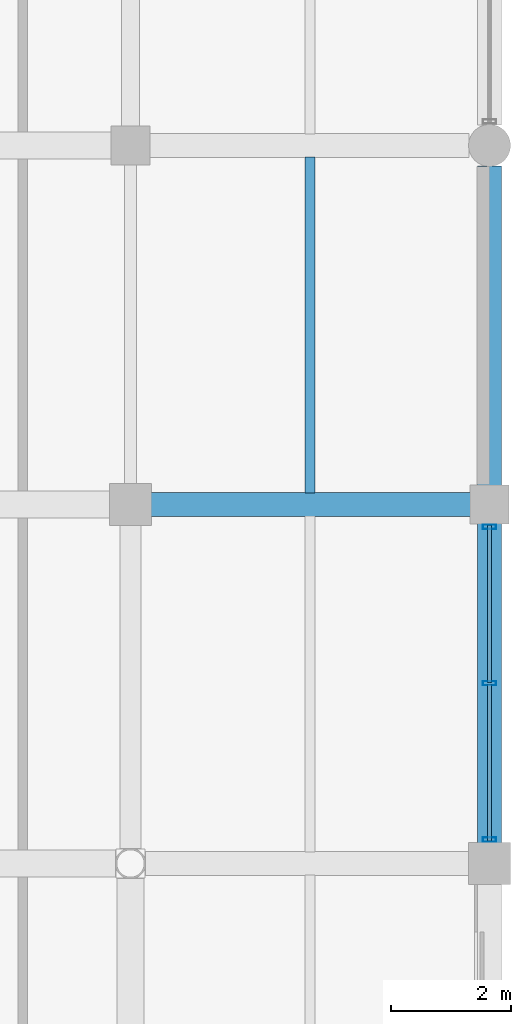
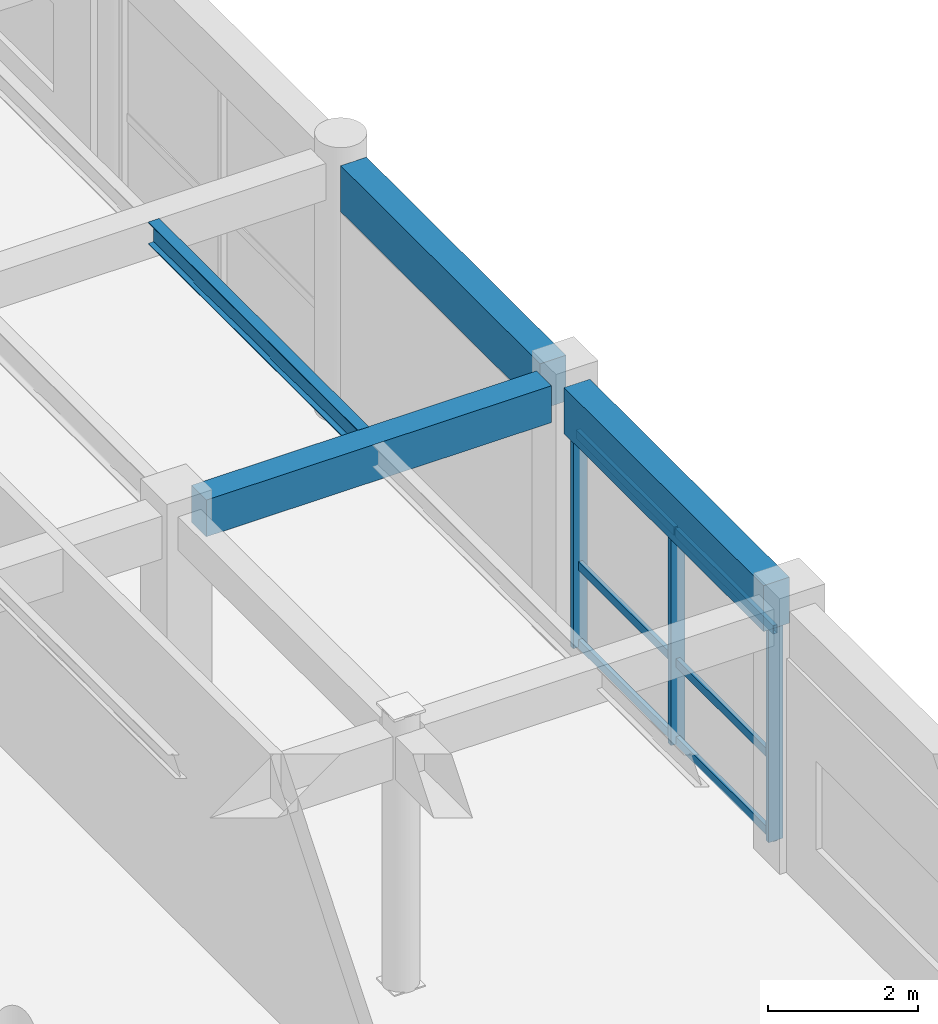
# One storey, part 66 of 116: 9 members, 4 beams, 1 element without a shape of its own.
"""IFC4 building model written with IfcOpenShell, lengths in metres."""

from ifc_helpers import new_model, si_unit, direction, frame, origin, origin_2d, place, context, subcontext, project, spatial, rectangle, hollow_rectangle, i_section, extrude, material, material_profile, profile_set, type_object, element, aggregate, save


model = new_model("IFC4")

# Units and contexts
model_context = context("Model", 3, precision=1e-05, world=origin(), true_north=direction((0.0, 1.0)))
body_context = subcontext(model_context, "Body", "Model", "MODEL_VIEW")
ifc_project = project(units=[si_unit("LENGTHUNIT", "METRE"), si_unit("AREAUNIT", "SQUARE_METRE"), si_unit("VOLUMEUNIT", "CUBIC_METRE"), si_unit("PLANEANGLEUNIT", "RADIAN"), si_unit("MASSUNIT", "GRAM", prefix="KILO"), si_unit("THERMODYNAMICTEMPERATUREUNIT", "KELVIN"), si_unit("POWERUNIT", "WATT")], contexts=[model_context])

# Site, building, storey
site_placement = place(None, origin())
site = spatial("IfcSite", under=ifc_project, at=site_placement, CompositionType="ELEMENT")
building_placement = place(site_placement, origin())
building = spatial("IfcBuilding", under=site, at=building_placement, Name="Phaisarnlok Congress Hotel", CompositionType="ELEMENT")
storey_placement = place(building_placement, frame((0.0, 0.0, 10.5)))
storey = spatial("IfcBuildingStorey", under=building, at=storey_placement, Name="L02", CompositionType="ELEMENT", Elevation=10.5)

# Beam
ifc_material_1 = material(Name="Concrete C40/50", Category="concrete")
ifc_material_profile_1 = material_profile(ifc_material_1, rectangle(XDim=0.39990234375, YDim=0.60009765625, at=origin_2d()), Name="RC 400x600")
ifc_profile_set_1 = profile_set([ifc_material_profile_1], Name="Concrete C40/50")
beam_type_1 = type_object("IfcBeamType", Name="BM-RC-400x600", PredefinedType="BEAM", material=ifc_profile_set_1)
beam_1_placement = place(storey_placement, frame((174.344970703125, 90.0, 3.93994140625), z_axis=(1.0, 0.0, 0.0), x_axis=(0.0, 1.0, 0.0)))
element("IfcBeam", 1, at=beam_1_placement, inside=storey, type_object=beam_type_1, Name="Beam B-02", PredefinedType="BEAM", context=body_context, shape_type="SweptSolid", body=[
    extrude(rectangle(XDim=0.39990234375, YDim=0.60009765625, at=origin_2d()), origin(), (0.0, 0.0, 1.0), 5.3349609375),
])

# Curtain wall, members
ifc_material_2 = material(Name="Thermally Broken Unitised Aluminium & Low-E Glazing", Category="aluminium")
curtain_wall_type = type_object("IfcCurtainWallType", Name="CW-UNIT-16", PredefinedType="NOTDEFINED", material=ifc_material_2)
curtain_wall_placement = place(storey_placement, origin())
curtain_wall = element("IfcCurtainWall", 2, at=curtain_wall_placement, inside=storey, type_object=curtain_wall_type, Name="Unitised curtain wall CW-16 (L02)", PredefinedType="NOTDEFINED")
ifc_material_3 = material(Name="Anodised Aluminium Alloy 6063-T6", Category="aluminium")
ifc_material_profile_2 = material_profile(ifc_material_3, hollow_rectangle(XDim=0.074951171875, YDim=0.219970703125, WallThickness=0.0048828125, at=origin_2d()), Name="ALU-M 75x220x5")
ifc_profile_set_2 = profile_set([ifc_material_profile_2], Name="Anodised Aluminium Alloy 6063-T6")
member_type_1 = type_object("IfcMemberType", Name="CWM-220", PredefinedType="MULLION", material=ifc_profile_set_2)
member_1_placement = place(storey_placement, frame((180.0, 84.39990234375, 0.0), z_axis=(0.0, 0.0, 1.0), x_axis=(0.0, 1.0, 0.0)))
member_1 = element("IfcMember", 3, at=member_1_placement, type_object=member_type_1, Name="Curtain wall mullion CWM-02", PredefinedType="MULLION", context=body_context, shape_type="SweptSolid", body=[
    extrude(hollow_rectangle(XDim=0.074951171875, YDim=0.219970703125, WallThickness=0.0048828125, at=origin_2d()), origin(), (0.0, 0.0, 1.0), 3.489990234375),
])
member_2_placement = place(storey_placement, frame((180.0, 87.012451171875, 0.0), z_axis=(0.0, 0.0, 1.0), x_axis=(0.0, 1.0, 0.0)))
member_2 = element("IfcMember", 4, at=member_2_placement, type_object=member_type_1, Name="Curtain wall mullion CWM-02", PredefinedType="MULLION", context=body_context, shape_type="SweptSolid", body=[
    extrude(hollow_rectangle(XDim=0.074951171875, YDim=0.219970703125, WallThickness=0.0048828125, at=origin_2d()), origin(), (0.0, 0.0, 1.0), 3.489990234375),
])
member_3_placement = place(storey_placement, frame((180.0, 89.625, 0.0), z_axis=(0.0, 0.0, 1.0), x_axis=(0.0, 1.0, 0.0)))
member_3 = element("IfcMember", 5, at=member_3_placement, type_object=member_type_1, Name="Curtain wall mullion CWM-02", PredefinedType="MULLION", context=body_context, shape_type="SweptSolid", body=[
    extrude(hollow_rectangle(XDim=0.074951171875, YDim=0.219970703125, WallThickness=0.0048828125, at=origin_2d()), origin(), (0.0, 0.0, 1.0), 3.489990234375),
])
ifc_material_profile_3 = material_profile(ifc_material_3, hollow_rectangle(XDim=0.06494140625, YDim=0.139892578125, WallThickness=0.00390625, at=origin_2d()), Name="ALU-T 65x140x4")
ifc_profile_set_3 = profile_set([ifc_material_profile_3], Name="Anodised Aluminium Alloy 6063-T6")
member_type_2 = type_object("IfcMemberType", Name="CWT-150", PredefinedType="USERDEFINED", material=ifc_profile_set_3)
member_4_placement = place(storey_placement, frame((180.0, 84.375, 0.050048828125), z_axis=(0.0, 1.0, 0.0), x_axis=(-1.0, 0.0, 0.0)))
member_4 = element("IfcMember", 6, at=member_4_placement, type_object=member_type_2, Name="Curtain wall transom CWT-01", ObjectType="TRANSOM", PredefinedType="USERDEFINED", context=body_context, shape_type="SweptSolid", body=[
    extrude(hollow_rectangle(XDim=0.06494140625, YDim=0.139892578125, WallThickness=0.00390625, at=origin_2d()), origin(), (0.0, 0.0, 1.0), 2.62255859375),
])
member_5_placement = place(storey_placement, frame((180.0, 84.375, 1.326171875), z_axis=(0.0, 1.0, 0.0), x_axis=(-1.0, 0.0, 0.0)))
member_5 = element("IfcMember", 7, at=member_5_placement, type_object=member_type_2, Name="Curtain wall transom CWT-01", ObjectType="TRANSOM", PredefinedType="USERDEFINED", context=body_context, shape_type="SweptSolid", body=[
    extrude(hollow_rectangle(XDim=0.06494140625, YDim=0.139892578125, WallThickness=0.00390625, at=origin_2d()), origin(), (0.0, 0.0, 1.0), 2.62255859375),
])
member_6_placement = place(storey_placement, frame((180.0, 84.375, 3.43994140625), z_axis=(0.0, 1.0, 0.0), x_axis=(-1.0, 0.0, 0.0)))
member_6 = element("IfcMember", 8, at=member_6_placement, type_object=member_type_2, Name="Curtain wall transom CWT-01", ObjectType="TRANSOM", PredefinedType="USERDEFINED", context=body_context, shape_type="SweptSolid", body=[
    extrude(hollow_rectangle(XDim=0.06494140625, YDim=0.139892578125, WallThickness=0.00390625, at=origin_2d()), origin(), (0.0, 0.0, 1.0), 2.62255859375),
])
member_7_placement = place(storey_placement, frame((180.0, 87.027587890625, 0.050048828125), z_axis=(0.0, 1.0, 0.0), x_axis=(-1.0, 0.0, 0.0)))
member_7 = element("IfcMember", 9, at=member_7_placement, type_object=member_type_2, Name="Curtain wall transom CWT-01", ObjectType="TRANSOM", PredefinedType="USERDEFINED", context=body_context, shape_type="SweptSolid", body=[
    extrude(hollow_rectangle(XDim=0.06494140625, YDim=0.139892578125, WallThickness=0.00390625, at=origin_2d()), origin(), (0.0, 0.0, 1.0), 2.622314453125),
])
member_8_placement = place(storey_placement, frame((180.0, 87.027587890625, 1.326171875), z_axis=(0.0, 1.0, 0.0), x_axis=(-1.0, 0.0, 0.0)))
member_8 = element("IfcMember", 10, at=member_8_placement, type_object=member_type_2, Name="Curtain wall transom CWT-01", ObjectType="TRANSOM", PredefinedType="USERDEFINED", context=body_context, shape_type="SweptSolid", body=[
    extrude(hollow_rectangle(XDim=0.06494140625, YDim=0.139892578125, WallThickness=0.00390625, at=origin_2d()), origin(), (0.0, 0.0, 1.0), 2.622314453125),
])
member_9_placement = place(storey_placement, frame((180.0, 87.027587890625, 3.43994140625), z_axis=(0.0, 1.0, 0.0), x_axis=(-1.0, 0.0, 0.0)))
member_9 = element("IfcMember", 11, at=member_9_placement, type_object=member_type_2, Name="Curtain wall transom CWT-01", ObjectType="TRANSOM", PredefinedType="USERDEFINED", context=body_context, shape_type="SweptSolid", body=[
    extrude(hollow_rectangle(XDim=0.06494140625, YDim=0.139892578125, WallThickness=0.00390625, at=origin_2d()), origin(), (0.0, 0.0, 1.0), 2.622314453125),
])
aggregate(curtain_wall, [member_1, member_2, member_3, member_4, member_5, member_6, member_7, member_8, member_9])

# Beams
ifc_material_4 = material(Name="Steel S355", Category="steel")
ifc_material_profile_4 = material_profile(ifc_material_4, i_section(OverallWidth=0.169921875, OverallDepth=0.360107421875, WebThickness=0.008056640625, FlangeThickness=0.0126953125, FilletRadius=0.01806640625, at=origin_2d()), Name="IPE 360")
ifc_profile_set_4 = profile_set([ifc_material_profile_4], Name="Steel S355")
beam_type_2 = type_object("IfcBeamType", Name="JS-STL-IPE360", PredefinedType="JOIST", material=ifc_profile_set_4)
beam_2_placement = place(storey_placement, frame((177.0, 90.195068359375, 4.06005859375), z_axis=(0.0, 1.0, 0.0), x_axis=(-1.0, 0.0, 0.0)))
element("IfcBeam", 12, at=beam_2_placement, inside=storey, type_object=beam_type_2, Name="Secondary floor joist J-04", PredefinedType="JOIST", context=body_context, shape_type="SweptSolid", body=[
    extrude(i_section(OverallWidth=0.169921875, OverallDepth=0.360107421875, WebThickness=0.008056640625, FlangeThickness=0.0126953125, FilletRadius=0.01806640625, at=origin_2d()), origin(), (0.0, 0.0, 1.0), 5.60986328125),
])
ifc_material_profile_5 = material_profile(ifc_material_1, rectangle(XDim=0.39990234375, YDim=0.75, at=origin_2d()), Name="RC 400x750")
ifc_profile_set_5 = profile_set([ifc_material_profile_5], Name="Concrete C40/50")
beam_type_3 = type_object("IfcBeamType", Name="SP-RC-400x750", PredefinedType="SPANDREL", material=ifc_profile_set_5)
for number, where, z_axis, x_axis, name in (
    (13, (180.0, 84.344970703125, 3.864990234375), (0.0, 1.0, 0.0), (-1.0, 0.0, 0.0), "Beam SP-02"),
    (14, (180.0, 90.320068359375, 3.864990234375), (0.0, 1.0, 0.0), (-1.0, 0.0, 0.0), "Beam SP-02"),
):
    element("IfcBeam", number, at=place(storey_placement, frame(where, z_axis=z_axis, x_axis=x_axis)), inside=storey, type_object=beam_type_3, Name=name, PredefinedType="SPANDREL", context=body_context, shape_type="SweptSolid", body=[
        extrude(rectangle(XDim=0.39990234375, YDim=0.75, at=origin_2d()), origin(), (0.0, 0.0, 1.0), 5.3349609375),
    ])

save(model, "model.ifc")
